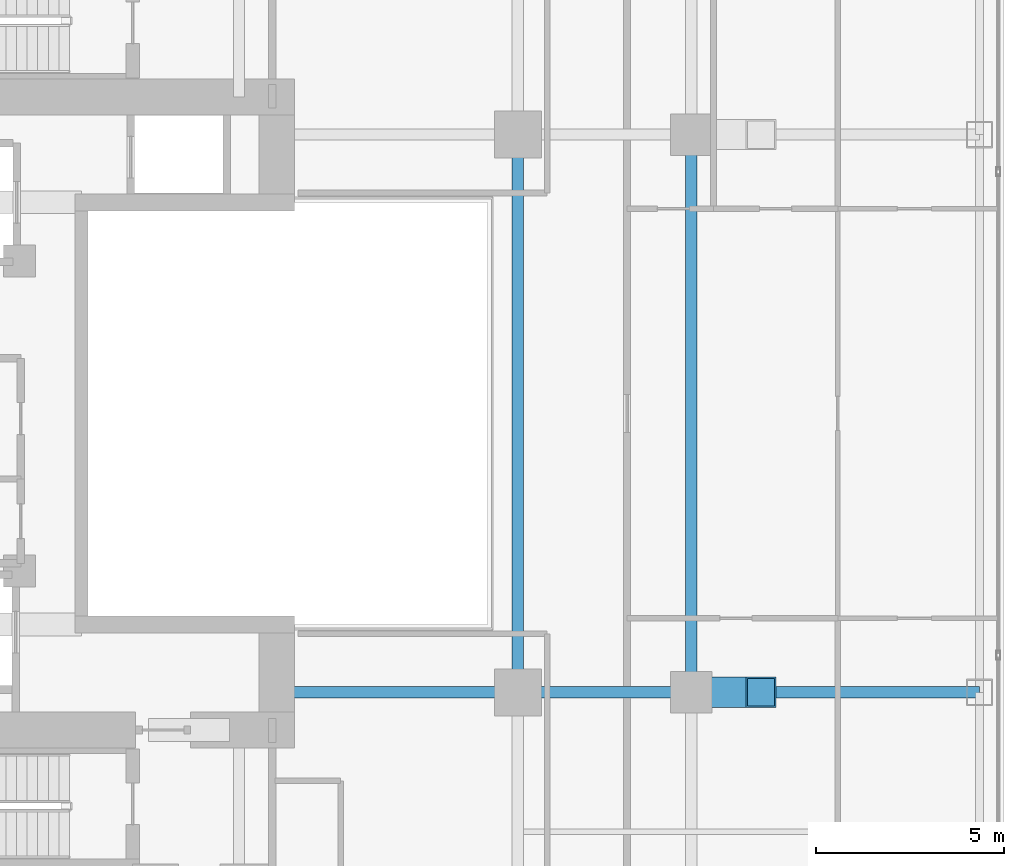
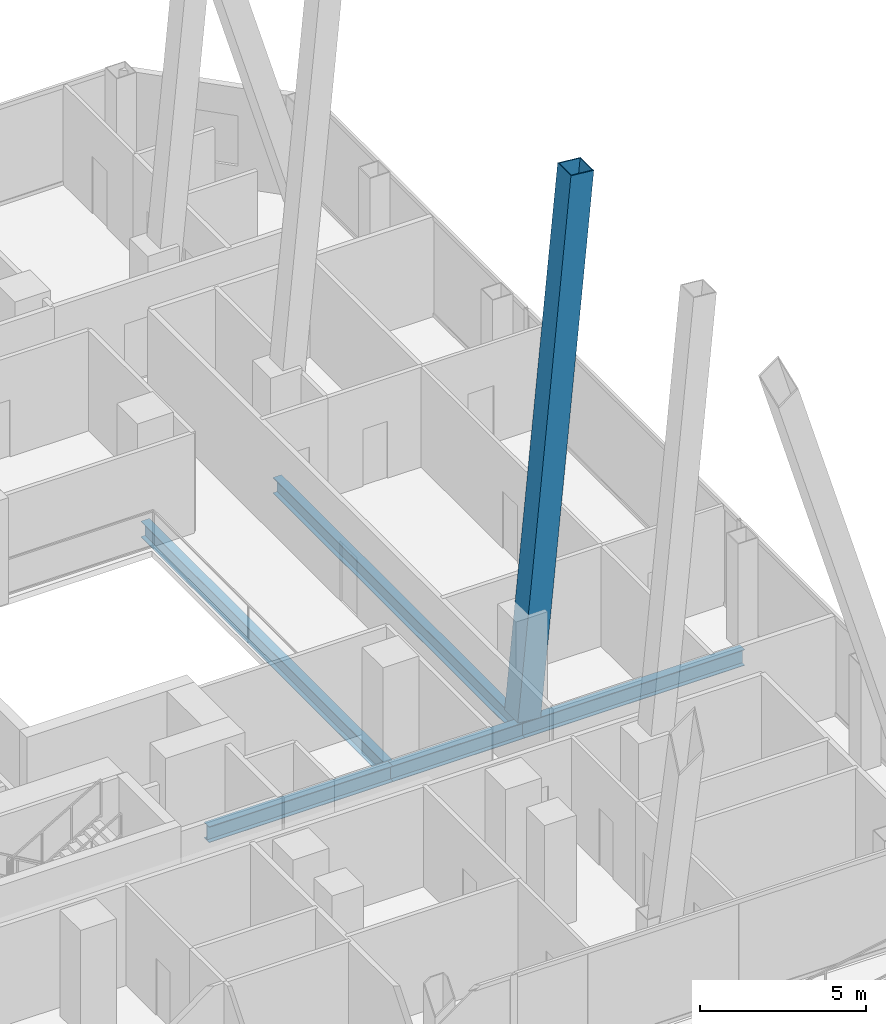
# One storey, part 12 of 32: 5 beams, 1 member.
"""IFC4 building model written with IfcOpenShell, lengths in metres."""

from ifc_helpers import new_model, si_unit, direction, frame, origin, origin_2d, place, context, subcontext, project, spatial, hollow_rectangle, i_section, extrude, material, material_profile, profile_set, type_object, element, save


model = new_model("IFC4")

# Units and contexts
model_context = context("Model", 3, precision=1e-05, world=origin(), true_north=direction((0.0, 1.0)))
body_context = subcontext(model_context, "Body", "Model", "MODEL_VIEW")
ifc_project = project(units=[si_unit("LENGTHUNIT", "METRE"), si_unit("AREAUNIT", "SQUARE_METRE"), si_unit("VOLUMEUNIT", "CUBIC_METRE"), si_unit("PLANEANGLEUNIT", "RADIAN"), si_unit("MASSUNIT", "GRAM", prefix="KILO")], contexts=[model_context])

# Site, building, storey
site_placement = place(None, origin())
site = spatial("IfcSite", under=ifc_project, at=site_placement, CompositionType="ELEMENT")
building_placement = place(site_placement, origin())
building = spatial("IfcBuilding", under=site, at=building_placement, Name="Khorvyn Point Tower", CompositionType="ELEMENT")
storey_placement = place(building_placement, frame((0.0, 0.0, 148.5)))
storey = spatial("IfcBuildingStorey", under=building, at=storey_placement, Name="L37", CompositionType="ELEMENT", Elevation=148.5)

# Beams
ifc_material_1 = material(Name="Steel S355", Category="steel")
ifc_material_profile_1 = material_profile(ifc_material_1, i_section(OverallWidth=0.300048828125, OverallDepth=0.587890625, WebThickness=0.011962890625, FlangeThickness=0.02001953125, at=origin_2d()))
ifc_profile_set_1 = profile_set([ifc_material_profile_1], Name="Steel S355 H588x300x12x20")
beam_type = type_object("IfcBeamType", Name="Steel S355 Beam H588x300x12x20", PredefinedType="BEAM", material=ifc_profile_set_1)
beam_1_placement = place(storey_placement, frame((8.39990234375, -7.39990234375, -0.513916015625), z_axis=(1.0, 0.0, 0.0), x_axis=(0.0, 1.0, 0.0)))
element("IfcBeam", 1, at=beam_1_placement, inside=storey, type_object=beam_type, Name="Beam", PredefinedType="BEAM", context=body_context, shape_type="SweptSolid", body=[
    extrude(i_section(OverallWidth=0.300048828125, OverallDepth=0.587890625, WebThickness=0.011962890625, FlangeThickness=0.02001953125, at=origin_2d()), origin(), (0.0, 0.0, 1.0), 6.400146484375),
])
beam_2_placement = place(storey_placement, frame((14.800048828125, -7.39990234375, -0.513916015625), z_axis=(1.0, 0.0, 0.0), x_axis=(0.0, 1.0, 0.0)))
element("IfcBeam", 2, at=beam_2_placement, inside=storey, type_object=beam_type, Name="Beam", PredefinedType="BEAM", context=body_context, shape_type="SweptSolid", body=[
    extrude(i_section(OverallWidth=0.300048828125, OverallDepth=0.587890625, WebThickness=0.011962890625, FlangeThickness=0.02001953125, at=origin_2d()), origin(), (0.0, 0.0, 1.0), 4.599853515625),
])
beam_3_placement = place(storey_placement, frame((19.39990234375, -7.39990234375, -0.513916015625), z_axis=(1.0, 0.0, 0.0), x_axis=(0.0, 1.0, 0.0)))
element("IfcBeam", 3, at=beam_3_placement, inside=storey, type_object=beam_type, Name="Beam", PredefinedType="BEAM", context=body_context, shape_type="SweptSolid", body=[
    extrude(i_section(OverallWidth=0.300048828125, OverallDepth=0.587890625, WebThickness=0.011962890625, FlangeThickness=0.02001953125, at=origin_2d()), origin(), (0.0, 0.0, 1.0), 7.650146484375),
])
for number, where, z_axis, x_axis, name in (
    (4, (14.800048828125, -7.39990234375, -0.513916015625), (0.0, 1.0, 0.0), (-1.0, 0.0, 0.0), "Beam"),
    (5, (19.39990234375, -7.39990234375, -0.513916015625), (0.0, 1.0, 0.0), (-1.0, 0.0, 0.0), "Beam"),
):
    element("IfcBeam", number, at=place(storey_placement, frame(where, z_axis=z_axis, x_axis=x_axis)), inside=storey, type_object=beam_type, Name=name, PredefinedType="BEAM", context=body_context, shape_type="SweptSolid", body=[
        extrude(i_section(OverallWidth=0.300048828125, OverallDepth=0.587890625, WebThickness=0.011962890625, FlangeThickness=0.02001953125, at=origin_2d()), origin(), (0.0, 0.0, 1.0), 14.7998046875),
    ])

# Member
ifc_material_2 = material(Name="Steel S450", Category="steel")
ifc_material_profile_2 = material_profile(ifc_material_2, hollow_rectangle(XDim=0.800048828125, YDim=0.800048828125, WallThickness=0.035888671875, at=origin_2d()))
ifc_profile_set_2 = profile_set([ifc_material_profile_2], Name="Steel S450 BOX800x800x36")
member_type = type_object("IfcMemberType", Name="Steel S450 Exoskeleton Structural Post BOX800x800x36", PredefinedType="POST", material=ifc_profile_set_2)
member_placement = place(storey_placement, frame((19.39990234375, -7.39990234375, 0.0), z_axis=(0.09445264246, 0.0, 0.995529355837), x_axis=(0.0, 1.0, 0.0)))
element("IfcMember", 6, at=member_placement, inside=storey, type_object=member_type, Name="L37 to L41 Exoskeleton Transfer Post 14", PredefinedType="POST", context=body_context, shape_type="SweptSolid", body=[
    extrude(hollow_rectangle(XDim=0.800048828125, YDim=0.800048828125, WallThickness=0.035888671875, at=origin_2d()), origin(), (0.0, 0.0, 1.0), 19.587646484375),
])

save(model, "model.ifc")
